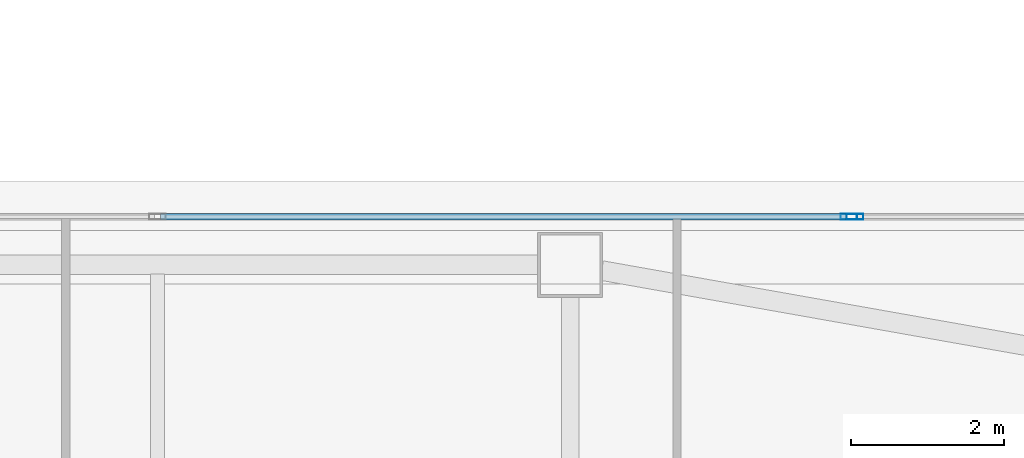
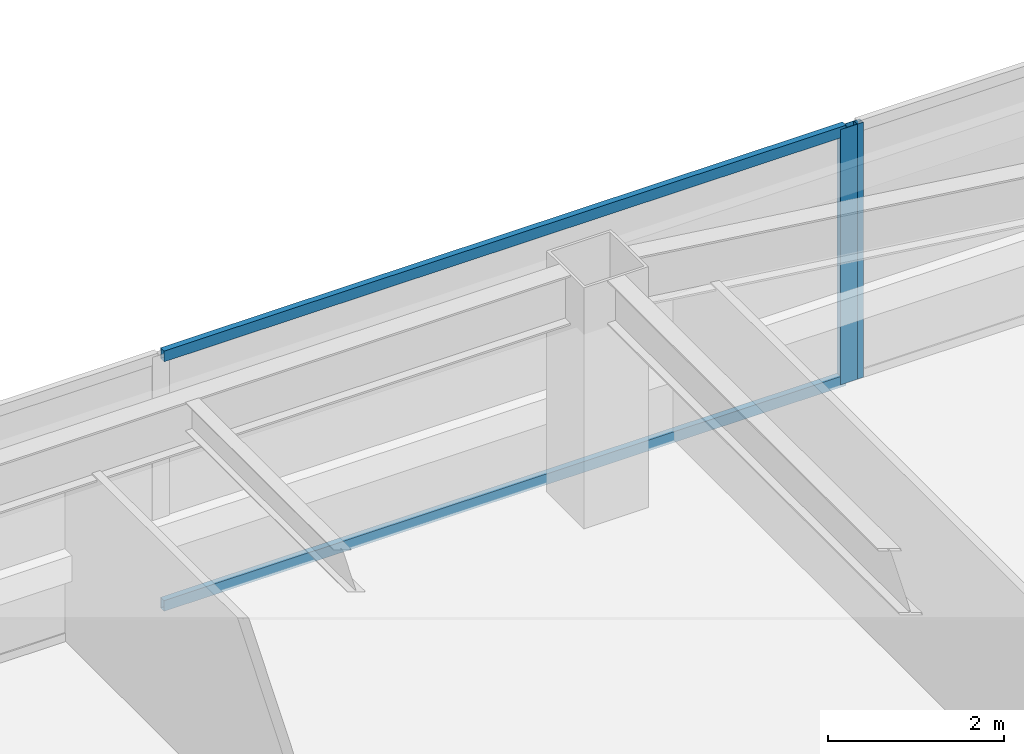
# One storey, part 16 of 49: 4 members, 2 elements without a shape of their own.
"""IFC4 building model written with IfcOpenShell, lengths in metres."""

from ifc_helpers import new_model, si_unit, direction, frame, origin, origin_2d, place, context, subcontext, project, spatial, hollow_rectangle, extrude, material, material_profile, profile_set, type_object, element, aggregate, save


model = new_model("IFC4")

# Units and contexts
model_context = context("Model", 3, precision=1e-05, world=origin(), true_north=direction((0.0, 1.0)))
body_context = subcontext(model_context, "Body", "Model", "MODEL_VIEW")
ifc_project = project(units=[si_unit("LENGTHUNIT", "METRE"), si_unit("AREAUNIT", "SQUARE_METRE"), si_unit("VOLUMEUNIT", "CUBIC_METRE"), si_unit("PLANEANGLEUNIT", "RADIAN"), si_unit("MASSUNIT", "GRAM", prefix="KILO")], contexts=[model_context])

# Site, building, storey
site_placement = place(None, origin())
site = spatial("IfcSite", under=ifc_project, at=site_placement, CompositionType="ELEMENT")
building_placement = place(site_placement, origin())
building = spatial("IfcBuilding", under=site, at=building_placement, Name="Tashvorn Skyway Center", CompositionType="ELEMENT")
storey_placement = place(building_placement, frame((0.0, 0.0, 70.75)))
storey = spatial("IfcBuildingStorey", under=building, at=storey_placement, Name="L18", CompositionType="ELEMENT", Elevation=70.75)

# Curtain wall, member
ifc_material = material(Name="Thermally broken bronze-anodized aluminium 6063-T6", Category="aluminium")
curtain_wall_type = type_object("IfcCurtainWallType", Name="CW-CW-Z2", PredefinedType="NOTDEFINED", material=ifc_material)
curtain_wall_1_placement = place(storey_placement, origin())
curtain_wall_1 = element("IfcCurtainWall", 1, at=curtain_wall_1_placement, inside=storey, type_object=curtain_wall_type, Name="Tower 1 L18 North Unitised Curtain Wall Glazing Group 2", PredefinedType="NOTDEFINED")
ifc_material_profile_1 = material_profile(ifc_material, hollow_rectangle(XDim=0.080078125, YDim=0.219970703125, WallThickness=0.0048828125, at=origin_2d()), Name="ALU-MULL-80x220")
ifc_profile_set_1 = profile_set([ifc_material_profile_1], Name="Thermally broken bronze-anodized aluminium 6063-T6")
member_type_1 = type_object("IfcMemberType", Name="CWM-CW-Z2", PredefinedType="MULLION", material=ifc_profile_set_1)
member_1_placement = place(storey_placement, frame((51.050048828125, 52.97998046875, 0.0), z_axis=(0.0, 0.0, 1.0), x_axis=(0.0, 1.0, 0.0)))
member_1 = element("IfcMember", 2, at=member_1_placement, type_object=member_type_1, Name="CW-Z2 mullion 3", PredefinedType="MULLION", context=body_context, shape_type="SweptSolid", body=[
    extrude(hollow_rectangle(XDim=0.080078125, YDim=0.219970703125, WallThickness=0.0048828125, at=origin_2d()), origin(), (0.0, 0.0, 1.0), 3.550048828125),
])

curtain_wall_2_placement = place(storey_placement, origin())
curtain_wall_2 = element("IfcCurtainWall", 3, at=curtain_wall_2_placement, inside=storey, type_object=curtain_wall_type, Name="Tower 1 L18 North Unitised Curtain Wall Glazing Group 3", PredefinedType="NOTDEFINED")
member_2_placement = place(storey_placement, frame((51.1298828125, 52.97998046875, 0.0), z_axis=(0.0, 0.0, 1.0), x_axis=(0.0, 1.0, 0.0)))
member_2 = element("IfcMember", 4, at=member_2_placement, type_object=member_type_1, Name="CW-Z2 mullion 1", PredefinedType="MULLION", context=body_context, shape_type="SweptSolid", body=[
    extrude(hollow_rectangle(XDim=0.080078125, YDim=0.219970703125, WallThickness=0.0048828125, at=origin_2d()), origin(), (0.0, 0.0, 1.0), 3.550048828125),
])
aggregate(curtain_wall_2, [member_2])

# Member
ifc_material_profile_2 = material_profile(ifc_material, hollow_rectangle(XDim=0.080078125, YDim=0.14990234375, WallThickness=0.00439453125, at=origin_2d()), Name="ALU-TRAN-80x150")
ifc_profile_set_2 = profile_set([ifc_material_profile_2], Name="Thermally broken bronze-anodized aluminium 6063-T6")
member_type_2 = type_object("IfcMemberType", Name="CWT-CW-Z2", PredefinedType="USERDEFINED", material=ifc_profile_set_2)
member_3_placement = place(storey_placement, frame((42.0400390625, 52.97998046875, 0.0400390625), z_axis=(1.0, 0.0, 0.0), x_axis=(0.0, 1.0, 0.0)))
member_3 = element("IfcMember", 5, at=member_3_placement, type_object=member_type_2, Name="CW-Z2 transom 2.1", ObjectType="TRANSOM", PredefinedType="USERDEFINED", context=body_context, shape_type="SweptSolid", body=[
    extrude(hollow_rectangle(XDim=0.080078125, YDim=0.14990234375, WallThickness=0.00439453125, at=origin_2d()), origin(), (0.0, 0.0, 1.0), 8.969970703125),
])

member_4_placement = place(storey_placement, frame((42.0400390625, 52.97998046875, 3.510009765625), z_axis=(1.0, 0.0, 0.0), x_axis=(0.0, 1.0, 0.0)))
member_4 = element("IfcMember", 6, at=member_4_placement, type_object=member_type_2, Name="CW-Z2 transom 2.2", ObjectType="TRANSOM", PredefinedType="USERDEFINED", context=body_context, shape_type="SweptSolid", body=[
    extrude(hollow_rectangle(XDim=0.080078125, YDim=0.14990234375, WallThickness=0.00439453125, at=origin_2d()), origin(), (0.0, 0.0, 1.0), 8.969970703125),
])

aggregate(curtain_wall_1, [member_1, member_3, member_4])

save(model, "model.ifc")
